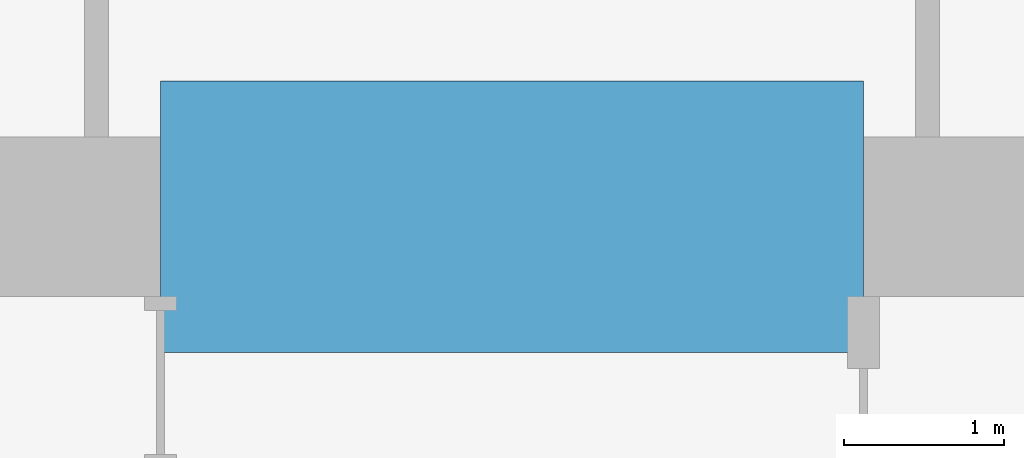
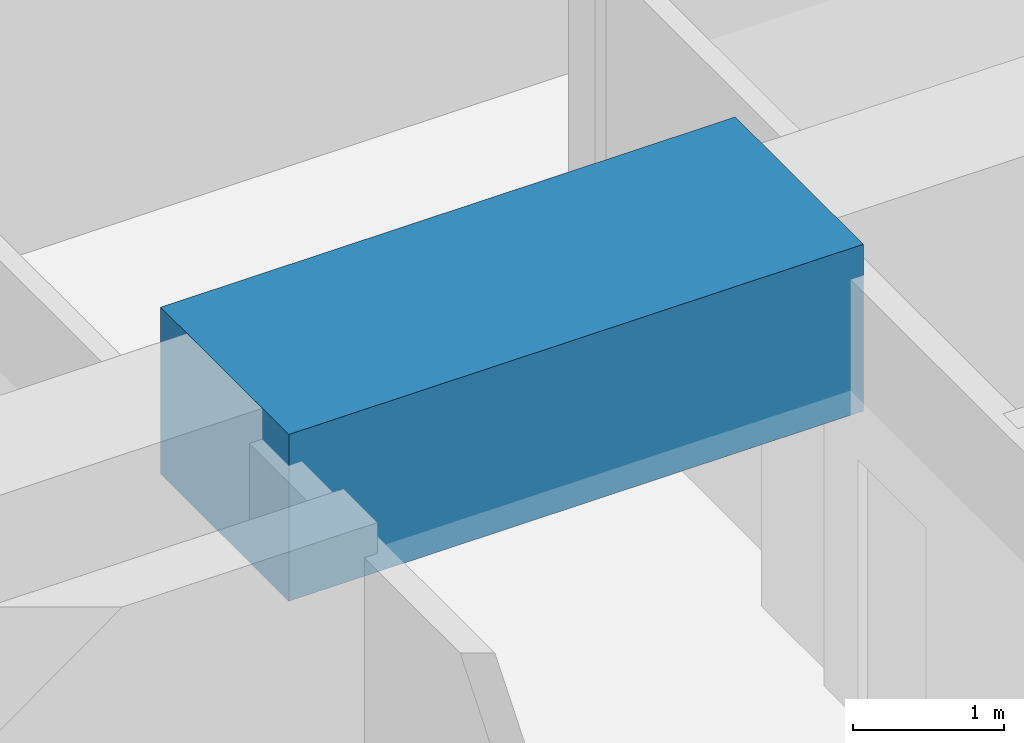
# One storey, part 18 of 40: 1 beam.
"""IFC4 building model written with IfcOpenShell, lengths in metres."""

import ifcopenshell
import ifcopenshell.guid

model = None  # the IFC model being written
_history = None  # IfcOwnerHistory: only IFC2X3 demands one
_inside = {}  # id of a spatial element -> (the spatial element, [elements in it])
_under = {}  # id of a project, library or spatial element -> (it, [spatial elements below it])
_declared = {}  # id of a project -> (the project, [libraries it declares])
_typed = {}  # id of a type object -> (the type object, [elements of that type])
_made_of = {}  # id of a material, layer set ... -> (it, [elements and type objects made of it])


def new_model(schema):
    """Start an empty IFC model of exactly this schema.

    Asked for "IFC4X3", IfcOpenShell would pick the latest addendum, in which some entities
    have other attributes; the version numbers below select the first issue.
    IFC2X3 requires an IfcOwnerHistory on every rooted entity: one is made here for all.
    """
    global model, _history
    if schema == "IFC4X3":
        model = ifcopenshell.file(schema_version=(4, 3, 0, 0))
    else:
        model = ifcopenshell.file(schema=schema)
    _inside.clear()
    _under.clear()
    _declared.clear()
    _typed.clear()
    _made_of.clear()
    _history = None
    if model.schema == "IFC2X3":
        org = make("IfcOrganization", Name="unknown")
        user = make(
            "IfcPersonAndOrganization",
            ThePerson=make("IfcPerson", FamilyName="unknown"),
            TheOrganization=org,
        )
        app = make(
            "IfcApplication",
            ApplicationDeveloper=org,
            Version="unknown",
            ApplicationFullName="unknown",
            ApplicationIdentifier="unknown",
        )
        _history = make(
            "IfcOwnerHistory",
            OwningUser=user,
            OwningApplication=app,
            ChangeAction="ADDED",
            CreationDate=0,
        )
    return model


def make(cls, **values):
    """One entity of the class cls with the attributes given. An attribute that is None is left unset."""
    return model.create_entity(
        cls, **{name: value for name, value in values.items() if value is not None}
    )


def rooted(cls, **values):
    """An entity with a GlobalId (a new one), such as an element, a storey or a relation."""
    return make(cls, GlobalId=ifcopenshell.guid.new(), OwnerHistory=_history, **values)


def si_unit(unit_type, name, prefix=None):
    """IfcSIUnit, for example si_unit("LENGTHUNIT", "METRE", prefix="MILLI")."""
    return make("IfcSIUnit", UnitType=unit_type, Prefix=prefix, Name=name)


def assignment(units):
    """IfcUnitAssignment: the units of a project."""
    return None if units is None else make("IfcUnitAssignment", Units=units)


def point(xyz):
    """IfcCartesianPoint."""
    return None if xyz is None else make("IfcCartesianPoint", Coordinates=xyz)


def direction(xyz):
    """IfcDirection."""
    return None if xyz is None else make("IfcDirection", DirectionRatios=xyz)


def frame(location, z_axis=None, x_axis=None):
    """IfcAxis2Placement3D, a coordinate frame: its origin and axes. An axis left out is left unset."""
    return make(
        "IfcAxis2Placement3D",
        Location=point(location),
        Axis=direction(z_axis),
        RefDirection=direction(x_axis),
    )


def frame_2d(location, x_axis=None):
    """IfcAxis2Placement2D, a coordinate frame in the plane: its origin and x axis."""
    return make(
        "IfcAxis2Placement2D", Location=point(location), RefDirection=direction(x_axis)
    )


def origin():
    """The frame at (0, 0, 0) with its axes left unset."""
    return frame((0.0, 0.0, 0.0))


def origin_2d():
    """The frame at (0, 0) in the plane with its x axis left unset."""
    return frame_2d((0.0, 0.0))


def place(relative_to, where):
    """IfcLocalPlacement: puts the frame where relative to a parent placement (None: the world)."""
    return make(
        "IfcLocalPlacement", PlacementRelTo=relative_to, RelativePlacement=where
    )


def context(
    kind, dimensions, precision=None, world=None, true_north=None, identifier=None
):
    """IfcGeometricRepresentationContext, for example the 3D "Model" context."""
    return make(
        "IfcGeometricRepresentationContext",
        ContextIdentifier=identifier,
        ContextType=kind,
        CoordinateSpaceDimension=dimensions,
        Precision=precision,
        WorldCoordinateSystem=world,
        TrueNorth=true_north,
    )


def subcontext(parent, identifier, kind, view, scale=None):
    """IfcGeometricRepresentationSubContext, for example "Body" below "Model"."""
    return make(
        "IfcGeometricRepresentationSubContext",
        ContextIdentifier=identifier,
        ContextType=kind,
        ParentContext=parent,
        TargetScale=scale,
        TargetView=view,
    )


def project(units=None, contexts=None):
    """IfcProject with its units and contexts."""
    return rooted(
        "IfcProject",
        Name="project",
        RepresentationContexts=contexts,
        UnitsInContext=assignment(units),
    )


def spatial(cls, under=None, at=None, **own):
    """A site, building, storey or space (cls), placed at a placement, below another one or the project."""
    s = rooted(cls, ObjectPlacement=at, **own)
    if under is not None:
        _under.setdefault(under.id(), (under, []))[1].append(s)
    return s


def profile(cls, at=None, kind="AREA", **sizes):
    """A parametric profile (cls). Its sizes go by their IFC names, for example OverallWidth=200.0."""
    return make(cls, ProfileType=kind, Position=at, **sizes)


def rectangle(**sizes):
    """IfcRectangleProfileDef."""
    return profile("IfcRectangleProfileDef", **sizes)


def extrude(swept, where, along, depth):
    """IfcExtrudedAreaSolid: the profile swept, set in the frame where, extruded along a direction by depth."""
    return make(
        "IfcExtrudedAreaSolid",
        SweptArea=swept,
        Position=where,
        ExtrudedDirection=direction(along),
        Depth=depth,
    )


def shape(context_of_items, identifier, shape_type, items):
    """IfcShapeRepresentation: the items that make up one representation, for example the "Body"."""
    return make(
        "IfcShapeRepresentation",
        ContextOfItems=context_of_items,
        RepresentationIdentifier=identifier,
        RepresentationType=shape_type,
        Items=items,
    )


def material(Name=None, Category=None):
    """IfcMaterial."""
    return make("IfcMaterial", Name=Name, Category=Category)


def material_profile(
    of_material, cross_section, Name=None, Category=None, Priority=None
):
    """IfcMaterialProfile: a cross section and its material."""
    return make(
        "IfcMaterialProfile",
        Name=Name,
        Material=of_material,
        Profile=cross_section,
        Priority=Priority,
        Category=Category,
    )


def profile_set(profiles, Name=None, composite=None):
    """IfcMaterialProfileSet."""
    return make(
        "IfcMaterialProfileSet",
        Name=Name,
        MaterialProfiles=profiles,
        CompositeProfile=composite,
    )


def made_of(thing, what):
    """Note that an element or type object is made of a material, layer set ...; save() writes the relation."""
    if what is not None:
        _made_of.setdefault(what.id(), (what, []))[1].append(thing)
    return thing


def type_object(cls, material=None, **own):
    """A type object (cls), such as IfcWallType, which elements share."""
    return made_of(rooted(cls, **own), material)


def element(
    cls,
    number,
    at=None,
    inside=None,
    cuts=None,
    type_object=None,
    material=None,
    context=None,
    identifier="Body",
    shape_type=None,
    held_by="IfcProductDefinitionShape",
    body=None,
    shapes=None,
    **own,
):
    """One element of the class cls, such as IfcWall. Its Tag is "e" and its number.

    at: its placement. inside: the storey or other place that contains it. cuts: it is an
    opening in that element (IfcRelVoidsElement). A single representation is given by context,
    identifier, shape_type and body (its items); several are given by shapes. held_by: the class
    of the entity that holds the representations. save() writes the other relations.
    """
    e = rooted(cls, Tag="e%d" % number, ObjectPlacement=at, **own)
    if body is not None:
        shapes = [shape(context, identifier, shape_type, body)]
    if shapes is not None:
        e.Representation = make(held_by, Representations=shapes)
    if inside is not None:
        _inside.setdefault(inside.id(), (inside, []))[1].append(e)
    if cuts is not None:
        rooted(
            "IfcRelVoidsElement", RelatingBuildingElement=cuts, RelatedOpeningElement=e
        )
    if type_object is not None:
        _typed.setdefault(type_object.id(), (type_object, []))[1].append(e)
    return made_of(e, material)


def aggregate(whole, parts):
    """IfcRelAggregates: a whole, such as a stair, and the parts it consists of."""
    return rooted("IfcRelAggregates", RelatingObject=whole, RelatedObjects=parts)


def save(model, path):
    """Write the relations noted so far, then the file.

    IfcRelAggregates (storeys below a building ...), IfcRelContainedInSpatialStructure (elements
    in a storey), IfcRelDefinesByType, IfcRelAssociatesMaterial and IfcRelDeclares: one each for
    every whole, place, type object, material and project.
    """
    for whole, parts in _under.values():
        aggregate(whole, parts)
    for where, things in _inside.values():
        rooted(
            "IfcRelContainedInSpatialStructure",
            RelatedElements=things,
            RelatingStructure=where,
        )
    for kind, things in _typed.values():
        rooted("IfcRelDefinesByType", RelatedObjects=things, RelatingType=kind)
    for what, things in _made_of.values():
        rooted("IfcRelAssociatesMaterial", RelatedObjects=things, RelatingMaterial=what)
    for by, libraries in _declared.values():
        rooted("IfcRelDeclares", RelatingContext=by, RelatedDefinitions=libraries)
    model.write(path)


model = new_model("IFC4")

# Units and contexts
model_context = context("Model", 3, precision=1e-05, world=origin(), true_north=direction((0.0, 1.0)))
body_context = subcontext(model_context, "Body", "Model", "MODEL_VIEW")
ifc_project = project(units=[si_unit("LENGTHUNIT", "METRE"), si_unit("AREAUNIT", "SQUARE_METRE"), si_unit("VOLUMEUNIT", "CUBIC_METRE"), si_unit("PLANEANGLEUNIT", "RADIAN"), si_unit("MASSUNIT", "GRAM", prefix="KILO")], contexts=[model_context])

# Site, building, storey
site_placement = place(None, origin())
site = spatial("IfcSite", under=ifc_project, at=site_placement, CompositionType="ELEMENT")
building_placement = place(site_placement, origin())
building = spatial("IfcBuilding", under=site, at=building_placement, Name="Rekha Terrace Tower", CompositionType="ELEMENT")
storey_placement = place(building_placement, frame((0.0, 0.0, 140.300048828125)))
storey = spatial("IfcBuildingStorey", under=building, at=storey_placement, Name="L35", CompositionType="ELEMENT", Elevation=140.300048828125)

# Beam
ifc_material = material(Name="Concrete M70", Category="concrete")
ifc_material_profile = material_profile(ifc_material, rectangle(XDim=1.699951171875, YDim=1.35009765625, at=origin_2d()), Name="RC 1700x1350")
ifc_profile_set = profile_set([ifc_material_profile], Name="Concrete M70")
beam_type = type_object("IfcBeamType", Name="LB2A 1700x1350 diagonally reinforced coupling beam", PredefinedType="LINTEL", material=ifc_profile_set)
beam_placement = place(storey_placement, frame((35.60009765625, 46.199951171875, 3.074951171875), z_axis=(1.0, 0.0, 0.0), x_axis=(0.0, 1.0, 0.0)))
element("IfcBeam", 1, at=beam_placement, inside=storey, type_object=beam_type, Name="Coupling beam LB2A N L35", PredefinedType="LINTEL", context=body_context, shape_type="SweptSolid", body=[
    extrude(rectangle(XDim=1.699951171875, YDim=1.35009765625, at=origin_2d()), origin(), (0.0, 0.0, 1.0), 4.39990234375),
])

save(model, "model.ifc")
